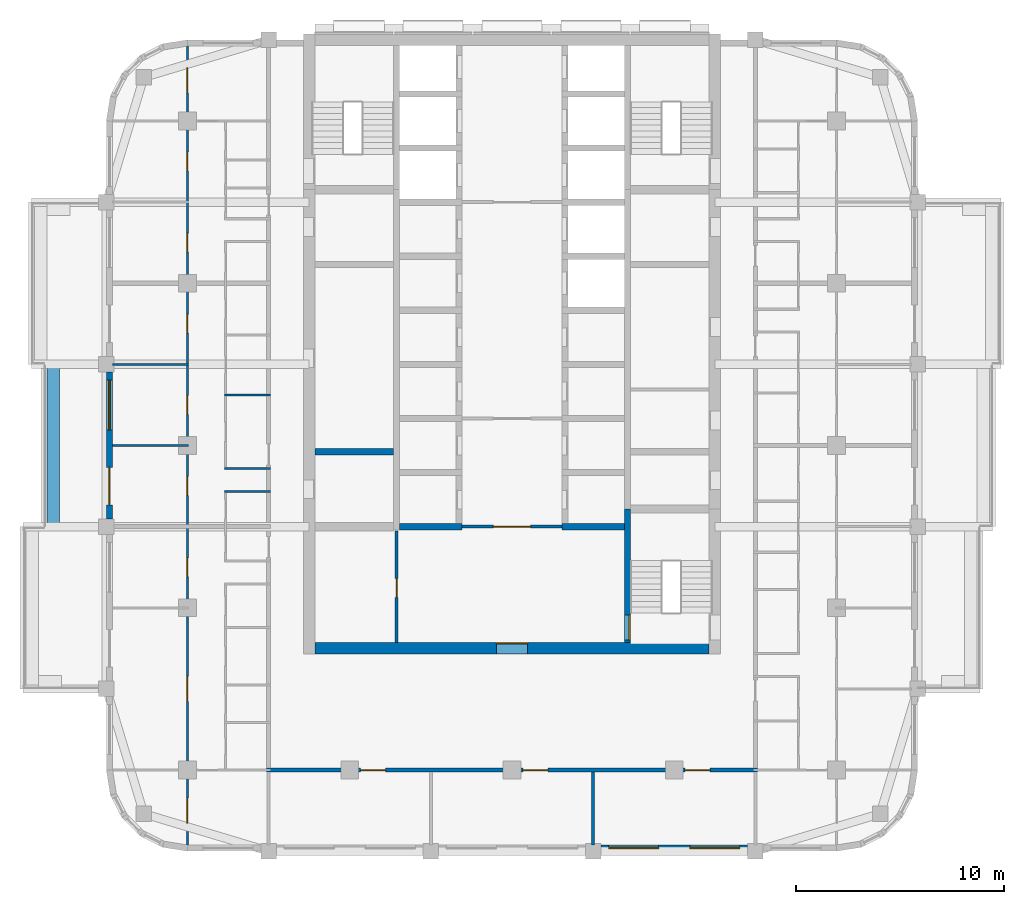
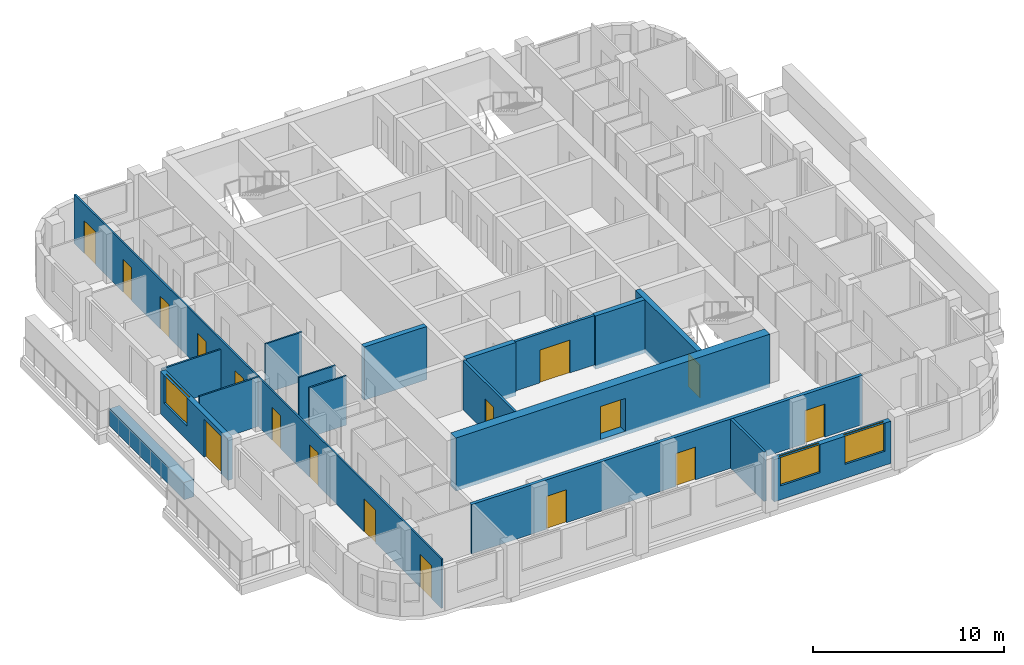
# One storey, part 3 of 13: 18 walls, 17 doors, 3 windows, 20 openings.
"""IFC4 building model written with IfcOpenShell, lengths in metres."""

from ifc_helpers import new_model, si_unit, direction, frame, frame_2d, origin, place, context, subcontext, project, spatial, rectangle, extrude, material, layer, layer_set, type_object, element, fill, save


model = new_model("IFC4")

# Units and contexts
model_context = context("Model", 3, precision=1e-05, world=origin(), true_north=direction((0.0, 1.0)))
body_context = subcontext(model_context, "Body", "Model", "MODEL_VIEW")
ifc_project = project(units=[si_unit("LENGTHUNIT", "METRE"), si_unit("AREAUNIT", "SQUARE_METRE"), si_unit("VOLUMEUNIT", "CUBIC_METRE"), si_unit("PLANEANGLEUNIT", "RADIAN"), si_unit("MASSUNIT", "GRAM", prefix="KILO")], contexts=[model_context])

# Site, building, storey
site_placement = place(None, origin())
site = spatial("IfcSite", under=ifc_project, at=site_placement, CompositionType="ELEMENT")
building_placement = place(site_placement, origin())
building = spatial("IfcBuilding", under=site, at=building_placement, Name="Ludao Terraces", CompositionType="ELEMENT")
storey_placement = place(building_placement, frame((0.0, 0.0, 152.0)))
storey = spatial("IfcBuildingStorey", under=building, at=storey_placement, Name="L41", CompositionType="ELEMENT", Elevation=152.0)

# Wall, opening, door
ifc_material_1 = material(Name="Concrete C60", Category="concrete")
ifc_layer_1 = layer(ifc_material_1, 0.550048828125)
ifc_layer_set_1 = layer_set([ifc_layer_1], Name="Core wall 550 C60")
wall_type_1 = type_object("IfcWallType", Name="Core wall 550 C60", PredefinedType="SOLIDWALL", material=ifc_layer_set_1)
wall_1_placement = place(storey_placement, frame((75.52490234375, 55.25, -0.25), z_axis=(0.0, 0.0, 1.0), x_axis=(1.0, 0.0, 0.0)))
wall_1 = element("IfcWall", 1, at=wall_1_placement, inside=storey, type_object=wall_type_1, Name="Core wall L41 outer-S", PredefinedType="SOLIDWALL", context=body_context, shape_type="SweptSolid", body=[
    extrude(rectangle(XDim=18.9501953125, YDim=0.550048828125, at=frame_2d((9.47509765625, 0.0))), origin(), (0.0, 0.0, 1.0), 3.39990234375),
])
opening_1_placement = place(wall_1_placement, frame((8.72509765625, 0.0, 0.25)))
opening_1 = element("IfcOpeningElement", 2, at=opening_1_placement, cuts=wall_1, Name="Opening R14-016", PredefinedType="OPENING", context=body_context, shape_type="SweptSolid", body=[
    extrude(rectangle(XDim=1.5, YDim=2.10009765625, at=frame_2d((0.75, 1.050048828125))), frame((0.0, 0.28515625, 0.0), z_axis=(0.0, -1.0, 0.0), x_axis=(1.0, 0.0, 0.0)), (0.0, 0.0, 1.0), 0.570068359375),
])
ifc_material_2 = material(Name="Steel Q235", Category="steel")
door_type_1 = type_object("IfcDoorType", Name="INT Lobby door 1500", OperationType="DOUBLE_DOOR_SINGLE_SWING", PredefinedType="DOOR", material=ifc_material_2)
door_1_placement = place(opening_1_placement, origin())
door_1 = element("IfcDoor", 3, at=door_1_placement, inside=storey, type_object=door_type_1, Name="DOOR 016", OperationType="DOUBLE_DOOR_SINGLE_SWING", OverallHeight=2.10009765625, OverallWidth=1.5, PredefinedType="DOOR", context=body_context, shape_type="SweptSolid", body=[
    extrude(rectangle(XDim=1.5, YDim=2.10009765625, at=frame_2d((0.75, 1.050048828125))), frame((0.0, 0.26025390625, 0.0), z_axis=(0.0, -1.0, 0.0), x_axis=(1.0, 0.0, 0.0)), (0.0, 0.0, 1.0), 0.050048828125),
])
fill(opening_1, door_1)

# Wall
ifc_material_3 = material(Name="Concrete C40", Category="concrete")
ifc_layer_2 = layer(ifc_material_3, 0.60009765625)
ifc_layer_set_2 = layer_set([ifc_layer_2], Name="ENV Planter trough 600")
wall_type_2 = type_object("IfcWallType", Name="ENV Planter trough 600", PredefinedType="USERDEFINED", material=ifc_layer_set_2)
wall_2_placement = place(storey_placement, frame((62.949951171875, 61.10009765625, 0.0), z_axis=(0.0, 0.0, 1.0), x_axis=(0.0, 1.0, 0.0)))
element("IfcWall", 4, at=wall_2_placement, inside=storey, type_object=wall_type_2, Name="PL-L41-W2", ObjectType="PLANTER", PredefinedType="USERDEFINED", context=body_context, shape_type="SweptSolid", body=[
    extrude(rectangle(XDim=7.7998046875, YDim=0.60009765625, at=frame_2d((3.89990234375, 0.0))), origin(), (0.0, 0.0, 1.0), 1.10009765625),
])

# Wall, openings, windows
ifc_material_4 = material(Name="Granite cladding", Category="masonry")
ifc_layer_3 = layer(ifc_material_4, 0.0400390625, Category="stone")
ifc_material_5 = material(Name="Mineral wool")
ifc_layer_4 = layer(ifc_material_5, 0.06005859375)
ifc_layer_5 = layer(ifc_material_3, 0.199951171875, Category="concrete")
ifc_layer_set_3 = layer_set([ifc_layer_3, ifc_layer_4, ifc_layer_5], Name="ENV Stone-clad wall 300")
wall_type_3 = type_object("IfcWallType", Name="ENV Stone-clad wall 300", PredefinedType="SOLIDWALL", material=ifc_layer_set_3)
wall_3_placement = place(storey_placement, frame((89.27490234375, 45.64990234375, 0.0), z_axis=(0.0, 0.0, 1.0), x_axis=(1.0, 0.0, 0.0)))
wall_3 = element("IfcWall", 5, at=wall_3_placement, inside=storey, type_object=wall_type_3, Name="EW-L41-S4", PredefinedType="SOLIDWALL", context=body_context, shape_type="SweptSolid", body=[
    extrude(rectangle(XDim=7.050048828125, YDim=0.300048828125, at=frame_2d((3.52490234375, 0.0))), origin(), (0.0, 0.0, 1.0), 2.699951171875),
])
opening_2_placement = place(wall_3_placement, frame((0.375, 0.0, 0.89990234375)))
opening_2 = element("IfcOpeningElement", 6, at=opening_2_placement, cuts=wall_3, Name="Opening W1", PredefinedType="OPENING", context=body_context, shape_type="SweptSolid", body=[
    extrude(rectangle(XDim=2.39990234375, YDim=1.800048828125, at=frame_2d((1.199951171875, 0.89990234375))), frame((0.0, 0.16015625, 0.0), z_axis=(0.0, -1.0, 0.0), x_axis=(1.0, 0.0, 0.0)), (0.0, 0.0, 1.0), 0.320068359375),
])
opening_3_placement = place(wall_3_placement, frame((4.27490234375, 0.0, 0.89990234375)))
opening_3 = element("IfcOpeningElement", 7, at=opening_3_placement, cuts=wall_3, Name="Opening W1", PredefinedType="OPENING", context=body_context, shape_type="SweptSolid", body=[
    extrude(rectangle(XDim=2.39990234375, YDim=1.800048828125, at=frame_2d((1.199951171875, 0.89990234375))), frame((0.0, 0.16015625, 0.0), z_axis=(0.0, -1.0, 0.0), x_axis=(1.0, 0.0, 0.0)), (0.0, 0.0, 1.0), 0.320068359375),
])
ifc_material_6 = material(Name="Clear glass in aluminium frame", Category="aluminium")
ifc_layer_6 = layer(ifc_material_6, 0.06005859375)
ifc_layer_set_4 = layer_set([ifc_layer_6], Name="ENV Window W1 2400x1800")
window_type = type_object("IfcWindowType", Name="ENV Window W1 2400x1800", PartitioningType="DOUBLE_PANEL_VERTICAL", PredefinedType="WINDOW", material=ifc_layer_set_4)
window_1_placement = place(opening_2_placement, origin())
window_1 = element("IfcWindow", 8, at=window_1_placement, inside=storey, type_object=window_type, Name="W-L41-S4-1", OverallHeight=1.800048828125, OverallWidth=2.39990234375, PartitioningType="DOUBLE_PANEL_VERTICAL", PredefinedType="WINDOW", context=body_context, shape_type="SweptSolid", body=[
    extrude(rectangle(XDim=2.39990234375, YDim=1.800048828125, at=frame_2d((1.199951171875, 0.89990234375))), frame((0.0, 0.030029296875, 0.0), z_axis=(0.0, -1.0, 0.0), x_axis=(1.0, 0.0, 0.0)), (0.0, 0.0, 1.0), 0.06005859375),
])
fill(opening_2, window_1)
window_2_placement = place(opening_3_placement, origin())
window_2 = element("IfcWindow", 9, at=window_2_placement, inside=storey, type_object=window_type, Name="W-L41-S4-2", OverallHeight=1.800048828125, OverallWidth=2.39990234375, PartitioningType="DOUBLE_PANEL_VERTICAL", PredefinedType="WINDOW", context=body_context, shape_type="SweptSolid", body=[
    extrude(rectangle(XDim=2.39990234375, YDim=1.800048828125, at=frame_2d((1.199951171875, 0.89990234375))), frame((0.0, 0.030029296875, 0.0), z_axis=(0.0, -1.0, 0.0), x_axis=(1.0, 0.0, 0.0)), (0.0, 0.0, 1.0), 0.06005859375),
])
fill(opening_3, window_2)

# Wall, openings, door, window
wall_4_placement = place(storey_placement, frame((65.64990234375, 61.47509765625, 0.0), z_axis=(0.0, 0.0, 1.0), x_axis=(0.0, 1.0, 0.0)))
wall_4 = element("IfcWall", 10, at=wall_4_placement, inside=storey, type_object=wall_type_3, Name="EW-L41-W3", PredefinedType="SOLIDWALL", context=body_context, shape_type="SweptSolid", body=[
    extrude(rectangle(XDim=7.0498046875, YDim=0.300048828125, at=frame_2d((3.52490234375, 0.0))), origin(), (0.0, 0.0, 1.0), 2.699951171875),
])
opening_4_placement = place(wall_4_placement, frame((0.675048828125, 0.0, 0.0)))
opening_4 = element("IfcOpeningElement", 11, at=opening_4_placement, cuts=wall_4, Name="Opening BD", PredefinedType="OPENING", context=body_context, shape_type="SweptSolid", body=[
    extrude(rectangle(XDim=1.800048828125, YDim=2.39990234375, at=frame_2d((0.89990234375, 1.199951171875))), frame((0.0, 0.16015625, 0.0), z_axis=(0.0, -1.0, 0.0), x_axis=(1.0, 0.0, 0.0)), (0.0, 0.0, 1.0), 0.320068359375),
])
opening_5_placement = place(wall_4_placement, frame((4.27490234375, 0.0, 0.89990234375)))
opening_5 = element("IfcOpeningElement", 12, at=opening_5_placement, cuts=wall_4, Name="Opening W1", PredefinedType="OPENING", context=body_context, shape_type="SweptSolid", body=[
    extrude(rectangle(XDim=2.39990234375, YDim=1.800048828125, at=frame_2d((1.199951171875, 0.89990234375))), frame((0.0, 0.16015625, 0.0), z_axis=(0.0, -1.0, 0.0), x_axis=(1.0, 0.0, 0.0)), (0.0, 0.0, 1.0), 0.320068359375),
])
ifc_material_7 = material(Name="Aluminium glazed door", Category="aluminium")
ifc_layer_7 = layer(ifc_material_7, 0.06005859375)
ifc_layer_set_5 = layer_set([ifc_layer_7], Name="ENV Balcony door BD 1800x2400")
door_type_2 = type_object("IfcDoorType", Name="ENV Balcony door BD 1800x2400", OperationType="DOUBLE_DOOR_SINGLE_SWING", PredefinedType="DOOR", material=ifc_layer_set_5)
door_2_placement = place(opening_4_placement, origin())
door_2 = element("IfcDoor", 13, at=door_2_placement, inside=storey, type_object=door_type_2, Name="BD-L41-W3-1", OperationType="DOUBLE_DOOR_SINGLE_SWING", OverallHeight=2.39990234375, OverallWidth=1.800048828125, PredefinedType="DOOR", context=body_context, shape_type="SweptSolid", body=[
    extrude(rectangle(XDim=1.800048828125, YDim=2.39990234375, at=frame_2d((0.89990234375, 1.199951171875))), frame((0.0, 0.02490234375, 0.0), z_axis=(0.0, -1.0, 0.0), x_axis=(1.0, 0.0, 0.0)), (0.0, 0.0, 1.0), 0.050048828125),
])
fill(opening_4, door_2)
window_3_placement = place(opening_5_placement, origin())
window_3 = element("IfcWindow", 14, at=window_3_placement, inside=storey, type_object=window_type, Name="W-L41-W3-2", OverallHeight=1.800048828125, OverallWidth=2.39990234375, PartitioningType="DOUBLE_PANEL_VERTICAL", PredefinedType="WINDOW", context=body_context, shape_type="SweptSolid", body=[
    extrude(rectangle(XDim=2.39990234375, YDim=1.800048828125, at=frame_2d((1.199951171875, 0.89990234375))), frame((0.0, 0.030029296875, 0.0), z_axis=(0.0, -1.0, 0.0), x_axis=(1.0, 0.0, 0.0)), (0.0, 0.0, 1.0), 0.06005859375),
])
fill(opening_5, window_3)

# Wall, opening, door
ifc_material_8 = material(Name="Fire-rated gypsum plasterboard", Category="gypsum")
ifc_layer_8 = layer(ifc_material_8, 0.012451171875, Category="gypsum")
ifc_layer_9 = layer(ifc_material_5, 0.10009765625, Name="insulation")
ifc_layer_10 = layer(ifc_material_2, 0.02490234375, Name="stud")
ifc_layer_11 = layer(ifc_material_8, 0.012451171875, Category="gypsum")
ifc_layer_set_6 = layer_set([ifc_layer_8, ifc_layer_9, ifc_layer_10, ifc_layer_11], Name="INT Core partition 150")
wall_type_4 = type_object("IfcWallType", Name="INT Core partition 150", PredefinedType="PARTITIONING", material=ifc_layer_set_6)
wall_5_placement = place(storey_placement, frame((82.60009765625, 61.10009765625, 0.0), z_axis=(0.0, 0.0, 1.0), x_axis=(1.0, 0.0, 0.0)))
wall_5 = element("IfcWall", 15, at=wall_5_placement, inside=storey, type_object=wall_type_4, Name="PW-L41-PW017", PredefinedType="PARTITIONING", context=body_context, shape_type="SweptSolid", body=[
    extrude(rectangle(XDim=4.800048828125, YDim=0.14990234375, at=frame_2d((2.39990234375, 0.0))), origin(), (0.0, 0.0, 1.0), 3.14990234375),
])
opening_6_placement = place(wall_5_placement, frame((1.5, 0.0, 0.0)))
opening_6 = element("IfcOpeningElement", 16, at=opening_6_placement, cuts=wall_5, Name="Opening R14-029", PredefinedType="OPENING", context=body_context, shape_type="SweptSolid", body=[
    extrude(rectangle(XDim=1.800048828125, YDim=2.10009765625, at=frame_2d((0.89990234375, 1.050048828125))), frame((0.0, 0.0849609375, 0.0), z_axis=(0.0, -1.0, 0.0), x_axis=(1.0, 0.0, 0.0)), (0.0, 0.0, 1.0), 0.169921875),
])
door_type_3 = type_object("IfcDoorType", Name="INT Fire lobby door 1800", OperationType="DOUBLE_DOOR_SINGLE_SWING", PredefinedType="DOOR", material=ifc_material_2)
door_3_placement = place(opening_6_placement, origin())
door_3 = element("IfcDoor", 17, at=door_3_placement, inside=storey, type_object=door_type_3, Name="DOOR 029", OperationType="DOUBLE_DOOR_SINGLE_SWING", OverallHeight=2.10009765625, OverallWidth=1.800048828125, PredefinedType="DOOR", context=body_context, shape_type="SweptSolid", body=[
    extrude(rectangle(XDim=1.800048828125, YDim=2.10009765625, at=frame_2d((0.89990234375, 1.050048828125))), frame((0.0, 0.02490234375, 0.0), z_axis=(0.0, -1.0, 0.0), x_axis=(1.0, 0.0, 0.0)), (0.0, 0.0, 1.0), 0.050048828125),
])
fill(opening_6, door_3)

wall_6_placement = place(storey_placement, frame((79.449951171875, 55.525146484375, 0.0), z_axis=(0.0, 0.0, 1.0), x_axis=(0.0, 1.0, 0.0)))
wall_6 = element("IfcWall", 18, at=wall_6_placement, inside=storey, type_object=wall_type_4, Name="PW-L41-PW055", PredefinedType="PARTITIONING", context=body_context, shape_type="SweptSolid", body=[
    extrude(rectangle(XDim=5.375, YDim=0.14990234375, at=frame_2d((2.6875, 0.0))), origin(), (0.0, 0.0, 1.0), 3.14990234375),
])
opening_7_placement = place(wall_6_placement, frame((2.175048828125, 0.0, 0.0)))
opening_7 = element("IfcOpeningElement", 19, at=opening_7_placement, cuts=wall_6, Name="Opening R14-022", PredefinedType="OPENING", context=body_context, shape_type="SweptSolid", body=[
    extrude(rectangle(XDim=0.89990234375, YDim=2.10009765625, at=frame_2d((0.449951171875, 1.050048828125))), frame((0.0, 0.0849609375, 0.0), z_axis=(0.0, -1.0, 0.0), x_axis=(1.0, 0.0, 0.0)), (0.0, 0.0, 1.0), 0.169921875),
])
ifc_material_9 = material(Name="Timber door leaf", Category="wood")
door_type_4 = type_object("IfcDoorType", Name="INT Room door 900", OperationType="SINGLE_SWING_LEFT", PredefinedType="DOOR", material=ifc_material_9)
door_4_placement = place(opening_7_placement, origin())
door_4 = element("IfcDoor", 20, at=door_4_placement, inside=storey, type_object=door_type_4, Name="DOOR 022", OperationType="SINGLE_SWING_LEFT", OverallHeight=2.10009765625, OverallWidth=0.89990234375, PredefinedType="DOOR", context=body_context, shape_type="SweptSolid", body=[
    extrude(rectangle(XDim=0.89990234375, YDim=2.10009765625, at=frame_2d((0.449951171875, 1.050048828125))), frame((0.0, 0.02490234375, 0.0), z_axis=(0.0, -1.0, 0.0), x_axis=(1.0, 0.0, 0.0)), (0.0, 0.0, 1.0), 0.050048828125),
])
fill(opening_7, door_4)

# Wall, openings, doors
ifc_material_10 = material(Name="Autoclaved aerated concrete block B06 A3.5", Category="concrete")
ifc_layer_12 = layer(ifc_material_10, 0.199951171875)
ifc_layer_set_7 = layer_set([ifc_layer_12], Name="INT Entrance wall 200")
wall_type_5 = type_object("IfcWallType", Name="INT Entrance wall 200", PredefinedType="PARTITIONING", material=ifc_layer_set_7)
wall_7_placement = place(storey_placement, frame((73.2001953125, 49.39990234375, 0.0), z_axis=(0.0, 0.0, 1.0), x_axis=(1.0, 0.0, 0.0)))
wall_7 = element("IfcWall", 21, at=wall_7_placement, inside=storey, type_object=wall_type_5, Name="PW-L41-PW001", PredefinedType="PARTITIONING", context=body_context, shape_type="SweptSolid", body=[
    extrude(rectangle(XDim=23.599853515625, YDim=0.199951171875, at=frame_2d((11.7998046875, 0.0))), origin(), (0.0, 0.0, 1.0), 3.14990234375),
])
opening_8_placement = place(wall_7_placement, frame((4.52490234375, 0.0, 0.0)))
opening_8 = element("IfcOpeningElement", 22, at=opening_8_placement, cuts=wall_7, Name="Opening R14-004", PredefinedType="OPENING", context=body_context, shape_type="SweptSolid", body=[
    extrude(rectangle(XDim=1.199951171875, YDim=2.10009765625, at=frame_2d((0.60009765625, 1.050048828125))), frame((0.0, 0.10986328125, 0.0), z_axis=(0.0, -1.0, 0.0), x_axis=(1.0, 0.0, 0.0)), (0.0, 0.0, 1.0), 0.219970703125),
])
opening_9_placement = place(wall_7_placement, frame((12.324951171875, 0.0, 0.0)))
opening_9 = element("IfcOpeningElement", 23, at=opening_9_placement, cuts=wall_7, Name="Opening R14-005", PredefinedType="OPENING", context=body_context, shape_type="SweptSolid", body=[
    extrude(rectangle(XDim=1.199951171875, YDim=2.10009765625, at=frame_2d((0.60009765625, 1.050048828125))), frame((0.0, 0.10986328125, 0.0), z_axis=(0.0, -1.0, 0.0), x_axis=(1.0, 0.0, 0.0)), (0.0, 0.0, 1.0), 0.219970703125),
])
opening_10_placement = place(wall_7_placement, frame((20.125, 0.0, 0.0)))
opening_10 = element("IfcOpeningElement", 24, at=opening_10_placement, cuts=wall_7, Name="Opening R14-006", PredefinedType="OPENING", context=body_context, shape_type="SweptSolid", body=[
    extrude(rectangle(XDim=1.199951171875, YDim=2.10009765625, at=frame_2d((0.60009765625, 1.050048828125))), frame((0.0, 0.10986328125, 0.0), z_axis=(0.0, -1.0, 0.0), x_axis=(1.0, 0.0, 0.0)), (0.0, 0.0, 1.0), 0.219970703125),
])
door_type_5 = type_object("IfcDoorType", Name="INT Double door 1200", OperationType="DOUBLE_DOOR_SINGLE_SWING", PredefinedType="DOOR", material=ifc_material_9)
door_5_placement = place(opening_8_placement, origin())
door_5 = element("IfcDoor", 25, at=door_5_placement, inside=storey, type_object=door_type_5, Name="DOOR 004", OperationType="DOUBLE_DOOR_SINGLE_SWING", OverallHeight=2.10009765625, OverallWidth=1.199951171875, PredefinedType="DOOR", context=body_context, shape_type="SweptSolid", body=[
    extrude(rectangle(XDim=1.199951171875, YDim=2.10009765625, at=frame_2d((0.60009765625, 1.050048828125))), frame((0.0, 0.02490234375, 0.0), z_axis=(0.0, -1.0, 0.0), x_axis=(1.0, 0.0, 0.0)), (0.0, 0.0, 1.0), 0.050048828125),
])
fill(opening_8, door_5)
door_6_placement = place(opening_9_placement, origin())
door_6 = element("IfcDoor", 26, at=door_6_placement, inside=storey, type_object=door_type_5, Name="DOOR 005", OperationType="DOUBLE_DOOR_SINGLE_SWING", OverallHeight=2.10009765625, OverallWidth=1.199951171875, PredefinedType="DOOR", context=body_context, shape_type="SweptSolid", body=[
    extrude(rectangle(XDim=1.199951171875, YDim=2.10009765625, at=frame_2d((0.60009765625, 1.050048828125))), frame((0.0, 0.02490234375, 0.0), z_axis=(0.0, -1.0, 0.0), x_axis=(1.0, 0.0, 0.0)), (0.0, 0.0, 1.0), 0.050048828125),
])
fill(opening_9, door_6)
door_7_placement = place(opening_10_placement, origin())
door_7 = element("IfcDoor", 27, at=door_7_placement, inside=storey, type_object=door_type_5, Name="DOOR 006", OperationType="DOUBLE_DOOR_SINGLE_SWING", OverallHeight=2.10009765625, OverallWidth=1.199951171875, PredefinedType="DOOR", context=body_context, shape_type="SweptSolid", body=[
    extrude(rectangle(XDim=1.199951171875, YDim=2.10009765625, at=frame_2d((0.60009765625, 1.050048828125))), frame((0.0, 0.02490234375, 0.0), z_axis=(0.0, -1.0, 0.0), x_axis=(1.0, 0.0, 0.0)), (0.0, 0.0, 1.0), 0.050048828125),
])
fill(opening_10, door_7)

# Walls
ifc_material_11 = material(Name="Gypsum plasterboard", Category="gypsum")
ifc_layer_13 = layer(ifc_material_11, 0.012451171875, Category="gypsum")
ifc_layer_14 = layer(ifc_material_5, 0.06005859375, Name="insulation")
ifc_layer_15 = layer(ifc_material_2, 0.014892578125, Name="stud")
ifc_layer_16 = layer(ifc_material_11, 0.012451171875, Category="gypsum")
ifc_layer_set_8 = layer_set([ifc_layer_13, ifc_layer_14, ifc_layer_15, ifc_layer_16], Name="INT Partition 100")
wall_type_6 = type_object("IfcWallType", Name="INT Partition 100", PredefinedType="PARTITIONING", material=ifc_layer_set_8)
for number, where, z_axis, x_axis, name in (
    (28, (71.18017578125, 62.800048828125, 0.0), (0.0, 0.0, 1.0), (1.0, 0.0, 0.0), "PW-L41-PW020"),
    (29, (71.18017578125, 63.89990234375, 0.0), (0.0, 0.0, 1.0), (1.0, 0.0, 0.0), "PW-L41-PW021"),
):
    element("IfcWall", number, at=place(storey_placement, frame(where, z_axis=z_axis, x_axis=x_axis)), inside=storey, type_object=wall_type_6, Name=name, PredefinedType="PARTITIONING", context=body_context, shape_type="SweptSolid", body=[
        extrude(rectangle(XDim=2.219970703125, YDim=0.10009765625, at=frame_2d((1.10986328125, 0.0))), origin(), (0.0, 0.0, 1.0), 3.14990234375),
    ])
wall_8_placement = place(storey_placement, frame((65.800048828125, 65.0, 0.0), z_axis=(0.0, 0.0, 1.0), x_axis=(1.0, 0.0, 0.0)))
element("IfcWall", 30, at=wall_8_placement, inside=storey, type_object=wall_type_6, Name="PW-L41-PW022", PredefinedType="PARTITIONING", context=body_context, shape_type="SweptSolid", body=[
    extrude(rectangle(XDim=3.650146484375, YDim=0.10009765625, at=frame_2d((1.8251953125, 0.0))), origin(), (0.0, 0.0, 1.0), 3.14990234375),
])
wall_9_placement = place(storey_placement, frame((71.18017578125, 67.419921875, 0.0), z_axis=(0.0, 0.0, 1.0), x_axis=(1.0, 0.0, 0.0)))
element("IfcWall", 31, at=wall_9_placement, inside=storey, type_object=wall_type_6, Name="PW-L41-PW025", PredefinedType="PARTITIONING", context=body_context, shape_type="SweptSolid", body=[
    extrude(rectangle(XDim=2.219970703125, YDim=0.10009765625, at=frame_2d((1.10986328125, 0.0))), origin(), (0.0, 0.0, 1.0), 3.14990234375),
])
wall_10_placement = place(storey_placement, frame((65.800048828125, 68.89990234375, 0.0), z_axis=(0.0, 0.0, 1.0), x_axis=(1.0, 0.0, 0.0)))
element("IfcWall", 32, at=wall_10_placement, inside=storey, type_object=wall_type_6, Name="PW-L41-PW028", PredefinedType="PARTITIONING", context=body_context, shape_type="SweptSolid", body=[
    extrude(rectangle(XDim=3.650146484375, YDim=0.10009765625, at=frame_2d((1.8251953125, 0.0))), origin(), (0.0, 0.0, 1.0), 2.550048828125),
])

# Wall, openings, doors
wall_11_placement = place(storey_placement, frame((69.39990234375, 45.800048828125, 0.0), z_axis=(0.0, 0.0, 1.0), x_axis=(0.0, 1.0, 0.0)))
wall_11 = element("IfcWall", 33, at=wall_11_placement, inside=storey, type_object=wall_type_6, Name="PW-L41-PW048", PredefinedType="PARTITIONING", context=body_context, shape_type="SweptSolid", body=[
    extrude(rectangle(XDim=38.400146484375, YDim=0.10009765625, at=frame_2d((19.2001953125, 0.0))), origin(), (0.0, 0.0, 1.0), 3.14990234375),
])
opening_11_placement = place(wall_11_placement, frame((1.050048828125, 0.0, 0.0)))
opening_11 = element("IfcOpeningElement", 34, at=opening_11_placement, cuts=wall_11, Name="Opening R14-001", PredefinedType="OPENING", context=body_context, shape_type="SweptSolid", body=[
    extrude(rectangle(XDim=1.199951171875, YDim=2.10009765625, at=frame_2d((0.60009765625, 1.050048828125))), frame((0.0, 0.06005859375, 0.0), z_axis=(0.0, -1.0, 0.0), x_axis=(1.0, 0.0, 0.0)), (0.0, 0.0, 1.0), 0.1201171875),
])
opening_12_placement = place(wall_11_placement, frame((6.89990234375, 0.0, 0.0)))
opening_12 = element("IfcOpeningElement", 35, at=opening_12_placement, cuts=wall_11, Name="Opening R14-014", PredefinedType="OPENING", context=body_context, shape_type="SweptSolid", body=[
    extrude(rectangle(XDim=1.199951171875, YDim=2.10009765625, at=frame_2d((0.60009765625, 1.050048828125))), frame((0.0, 0.06005859375, 0.0), z_axis=(0.0, -1.0, 0.0), x_axis=(1.0, 0.0, 0.0)), (0.0, 0.0, 1.0), 0.1201171875),
])
opening_13_placement = place(wall_11_placement, frame((12.89990234375, 0.0, 0.0)))
opening_13 = element("IfcOpeningElement", 36, at=opening_13_placement, cuts=wall_11, Name="Opening R14-024", PredefinedType="OPENING", context=body_context, shape_type="SweptSolid", body=[
    extrude(rectangle(XDim=0.89990234375, YDim=2.10009765625, at=frame_2d((0.449951171875, 1.050048828125))), frame((0.0, 0.06005859375, 0.0), z_axis=(0.0, -1.0, 0.0), x_axis=(1.0, 0.0, 0.0)), (0.0, 0.0, 1.0), 0.1201171875),
])
opening_14_placement = place(wall_11_placement, frame((16.800048828125, 0.0, 0.0)))
opening_14 = element("IfcOpeningElement", 37, at=opening_14_placement, cuts=wall_11, Name="Opening R14-034", PredefinedType="OPENING", context=body_context, shape_type="SweptSolid", body=[
    extrude(rectangle(XDim=0.89990234375, YDim=2.10009765625, at=frame_2d((0.449951171875, 1.050048828125))), frame((0.0, 0.06005859375, 0.0), z_axis=(0.0, -1.0, 0.0), x_axis=(1.0, 0.0, 0.0)), (0.0, 0.0, 1.0), 0.1201171875),
])
opening_15_placement = place(wall_11_placement, frame((20.699951171875, 0.0, 0.0)))
opening_15 = element("IfcOpeningElement", 38, at=opening_15_placement, cuts=wall_11, Name="Opening R14-045", PredefinedType="OPENING", context=body_context, shape_type="SweptSolid", body=[
    extrude(rectangle(XDim=0.89990234375, YDim=2.10009765625, at=frame_2d((0.449951171875, 1.050048828125))), frame((0.0, 0.06005859375, 0.0), z_axis=(0.0, -1.0, 0.0), x_axis=(1.0, 0.0, 0.0)), (0.0, 0.0, 1.0), 0.1201171875),
])
opening_16_placement = place(wall_11_placement, frame((24.60009765625, 0.0, 0.0)))
opening_16 = element("IfcOpeningElement", 39, at=opening_16_placement, cuts=wall_11, Name="Opening R14-056", PredefinedType="OPENING", context=body_context, shape_type="SweptSolid", body=[
    extrude(rectangle(XDim=0.89990234375, YDim=2.10009765625, at=frame_2d((0.449951171875, 1.050048828125))), frame((0.0, 0.06005859375, 0.0), z_axis=(0.0, -1.0, 0.0), x_axis=(1.0, 0.0, 0.0)), (0.0, 0.0, 1.0), 0.1201171875),
])
opening_17_placement = place(wall_11_placement, frame((28.5, 0.0, 0.0)))
opening_17 = element("IfcOpeningElement", 40, at=opening_17_placement, cuts=wall_11, Name="Opening R14-065", PredefinedType="OPENING", context=body_context, shape_type="SweptSolid", body=[
    extrude(rectangle(XDim=0.89990234375, YDim=2.10009765625, at=frame_2d((0.449951171875, 1.050048828125))), frame((0.0, 0.06005859375, 0.0), z_axis=(0.0, -1.0, 0.0), x_axis=(1.0, 0.0, 0.0)), (0.0, 0.0, 1.0), 0.1201171875),
])
opening_18_placement = place(wall_11_placement, frame((32.39990234375, 0.0, 0.0)))
opening_18 = element("IfcOpeningElement", 41, at=opening_18_placement, cuts=wall_11, Name="Opening R14-081", PredefinedType="OPENING", context=body_context, shape_type="SweptSolid", body=[
    extrude(rectangle(XDim=0.89990234375, YDim=2.10009765625, at=frame_2d((0.449951171875, 1.050048828125))), frame((0.0, 0.06005859375, 0.0), z_axis=(0.0, -1.0, 0.0), x_axis=(1.0, 0.0, 0.0)), (0.0, 0.0, 1.0), 0.1201171875),
])
opening_19_placement = place(wall_11_placement, frame((36.14990234375, 0.0, 0.0)))
opening_19 = element("IfcOpeningElement", 42, at=opening_19_placement, cuts=wall_11, Name="Opening R14-089", PredefinedType="OPENING", context=body_context, shape_type="SweptSolid", body=[
    extrude(rectangle(XDim=1.199951171875, YDim=2.10009765625, at=frame_2d((0.60009765625, 1.050048828125))), frame((0.0, 0.06005859375, 0.0), z_axis=(0.0, -1.0, 0.0), x_axis=(1.0, 0.0, 0.0)), (0.0, 0.0, 1.0), 0.1201171875),
])
door_8_placement = place(opening_11_placement, origin())
door_8 = element("IfcDoor", 43, at=door_8_placement, inside=storey, type_object=door_type_5, Name="DOOR 001", OperationType="DOUBLE_DOOR_SINGLE_SWING", OverallHeight=2.10009765625, OverallWidth=1.199951171875, PredefinedType="DOOR", context=body_context, shape_type="SweptSolid", body=[
    extrude(rectangle(XDim=1.199951171875, YDim=2.10009765625, at=frame_2d((0.60009765625, 1.050048828125))), frame((0.0, 0.02490234375, 0.0), z_axis=(0.0, -1.0, 0.0), x_axis=(1.0, 0.0, 0.0)), (0.0, 0.0, 1.0), 0.050048828125),
])
fill(opening_11, door_8)
door_9_placement = place(opening_12_placement, origin())
door_9 = element("IfcDoor", 44, at=door_9_placement, inside=storey, type_object=door_type_5, Name="DOOR 014", OperationType="DOUBLE_DOOR_SINGLE_SWING", OverallHeight=2.10009765625, OverallWidth=1.199951171875, PredefinedType="DOOR", context=body_context, shape_type="SweptSolid", body=[
    extrude(rectangle(XDim=1.199951171875, YDim=2.10009765625, at=frame_2d((0.60009765625, 1.050048828125))), frame((0.0, 0.02490234375, 0.0), z_axis=(0.0, -1.0, 0.0), x_axis=(1.0, 0.0, 0.0)), (0.0, 0.0, 1.0), 0.050048828125),
])
fill(opening_12, door_9)
door_10_placement = place(opening_19_placement, origin())
door_10 = element("IfcDoor", 45, at=door_10_placement, inside=storey, type_object=door_type_5, Name="DOOR 089", OperationType="DOUBLE_DOOR_SINGLE_SWING", OverallHeight=2.10009765625, OverallWidth=1.199951171875, PredefinedType="DOOR", context=body_context, shape_type="SweptSolid", body=[
    extrude(rectangle(XDim=1.199951171875, YDim=2.10009765625, at=frame_2d((0.60009765625, 1.050048828125))), frame((0.0, 0.02490234375, 0.0), z_axis=(0.0, -1.0, 0.0), x_axis=(1.0, 0.0, 0.0)), (0.0, 0.0, 1.0), 0.050048828125),
])
fill(opening_19, door_10)
door_11_placement = place(opening_13_placement, origin())
door_11 = element("IfcDoor", 46, at=door_11_placement, inside=storey, type_object=door_type_4, Name="DOOR 024", OperationType="SINGLE_SWING_RIGHT", OverallHeight=2.10009765625, OverallWidth=0.89990234375, PredefinedType="DOOR", context=body_context, shape_type="SweptSolid", body=[
    extrude(rectangle(XDim=0.89990234375, YDim=2.10009765625, at=frame_2d((0.449951171875, 1.050048828125))), frame((0.0, 0.02490234375, 0.0), z_axis=(0.0, -1.0, 0.0), x_axis=(1.0, 0.0, 0.0)), (0.0, 0.0, 1.0), 0.050048828125),
])
fill(opening_13, door_11)
door_12_placement = place(opening_14_placement, origin())
door_12 = element("IfcDoor", 47, at=door_12_placement, inside=storey, type_object=door_type_4, Name="DOOR 034", OperationType="SINGLE_SWING_LEFT", OverallHeight=2.10009765625, OverallWidth=0.89990234375, PredefinedType="DOOR", context=body_context, shape_type="SweptSolid", body=[
    extrude(rectangle(XDim=0.89990234375, YDim=2.10009765625, at=frame_2d((0.449951171875, 1.050048828125))), frame((0.0, 0.02490234375, 0.0), z_axis=(0.0, -1.0, 0.0), x_axis=(1.0, 0.0, 0.0)), (0.0, 0.0, 1.0), 0.050048828125),
])
fill(opening_14, door_12)
door_13_placement = place(opening_15_placement, origin())
door_13 = element("IfcDoor", 48, at=door_13_placement, inside=storey, type_object=door_type_4, Name="DOOR 045", OperationType="SINGLE_SWING_RIGHT", OverallHeight=2.10009765625, OverallWidth=0.89990234375, PredefinedType="DOOR", context=body_context, shape_type="SweptSolid", body=[
    extrude(rectangle(XDim=0.89990234375, YDim=2.10009765625, at=frame_2d((0.449951171875, 1.050048828125))), frame((0.0, 0.02490234375, 0.0), z_axis=(0.0, -1.0, 0.0), x_axis=(1.0, 0.0, 0.0)), (0.0, 0.0, 1.0), 0.050048828125),
])
fill(opening_15, door_13)
door_14_placement = place(opening_16_placement, origin())
door_14 = element("IfcDoor", 49, at=door_14_placement, inside=storey, type_object=door_type_4, Name="DOOR 056", OperationType="SINGLE_SWING_LEFT", OverallHeight=2.10009765625, OverallWidth=0.89990234375, PredefinedType="DOOR", context=body_context, shape_type="SweptSolid", body=[
    extrude(rectangle(XDim=0.89990234375, YDim=2.10009765625, at=frame_2d((0.449951171875, 1.050048828125))), frame((0.0, 0.02490234375, 0.0), z_axis=(0.0, -1.0, 0.0), x_axis=(1.0, 0.0, 0.0)), (0.0, 0.0, 1.0), 0.050048828125),
])
fill(opening_16, door_14)
door_15_placement = place(opening_17_placement, origin())
door_15 = element("IfcDoor", 50, at=door_15_placement, inside=storey, type_object=door_type_4, Name="DOOR 065", OperationType="SINGLE_SWING_RIGHT", OverallHeight=2.10009765625, OverallWidth=0.89990234375, PredefinedType="DOOR", context=body_context, shape_type="SweptSolid", body=[
    extrude(rectangle(XDim=0.89990234375, YDim=2.10009765625, at=frame_2d((0.449951171875, 1.050048828125))), frame((0.0, 0.02490234375, 0.0), z_axis=(0.0, -1.0, 0.0), x_axis=(1.0, 0.0, 0.0)), (0.0, 0.0, 1.0), 0.050048828125),
])
fill(opening_17, door_15)
door_16_placement = place(opening_18_placement, origin())
door_16 = element("IfcDoor", 51, at=door_16_placement, inside=storey, type_object=door_type_4, Name="DOOR 081", OperationType="SINGLE_SWING_RIGHT", OverallHeight=2.10009765625, OverallWidth=0.89990234375, PredefinedType="DOOR", context=body_context, shape_type="SweptSolid", body=[
    extrude(rectangle(XDim=0.89990234375, YDim=2.10009765625, at=frame_2d((0.449951171875, 1.050048828125))), frame((0.0, 0.02490234375, 0.0), z_axis=(0.0, -1.0, 0.0), x_axis=(1.0, 0.0, 0.0)), (0.0, 0.0, 1.0), 0.050048828125),
])
fill(opening_18, door_16)

# Wall
ifc_layer_17 = layer(ifc_material_10, 0.14990234375)
ifc_layer_set_9 = layer_set([ifc_layer_17], Name="INT Party wall 150")
wall_type_7 = type_object("IfcWallType", Name="INT Party wall 150", PredefinedType="PARTITIONING", material=ifc_layer_set_9)
wall_12_placement = place(storey_placement, frame((88.89990234375, 45.800048828125, 0.0), z_axis=(0.0, 0.0, 1.0), x_axis=(0.0, 1.0, 0.0)))
element("IfcWall", 52, at=wall_12_placement, inside=storey, type_object=wall_type_7, Name="PW-L41-PW057", PredefinedType="PARTITIONING", context=body_context, shape_type="SweptSolid", body=[
    extrude(rectangle(XDim=3.5, YDim=0.14990234375, at=frame_2d((1.75, 0.0))), origin(), (0.0, 0.0, 1.0), 3.14990234375),
])

# Wall, opening, door
ifc_material_12 = material(Name="Concrete C55", Category="concrete")
ifc_layer_18 = layer(ifc_material_12, 0.300048828125)
ifc_layer_set_10 = layer_set([ifc_layer_18], Name="Shaft wall 300 C55")
wall_type_8 = type_object("IfcWallType", Name="Shaft wall 300 C55", PredefinedType="SOLIDWALL", material=ifc_layer_set_10)
wall_13_placement = place(storey_placement, frame((90.550048828125, 55.52490234375, -0.25), z_axis=(0.0, 0.0, 1.0), x_axis=(0.0, 1.0, 0.0)))
wall_13 = element("IfcWall", 53, at=wall_13_placement, inside=storey, type_object=wall_type_8, Name="Core wall L41 back-E-S3", PredefinedType="SOLIDWALL", context=body_context, shape_type="SweptSolid", body=[
    extrude(rectangle(XDim=6.425048828125, YDim=0.300048828125, at=frame_2d((3.21240234375, 0.0))), origin(), (0.0, 0.0, 1.0), 3.39990234375),
])
opening_20_placement = place(wall_13_placement, frame((0.125, 0.0, 0.25)))
opening_20 = element("IfcOpeningElement", 54, at=opening_20_placement, cuts=wall_13, Name="Opening R14-018", PredefinedType="OPENING", context=body_context, shape_type="SweptSolid", body=[
    extrude(rectangle(XDim=1.199951171875, YDim=2.10009765625, at=frame_2d((0.60009765625, 1.050048828125))), frame((0.0, 0.16015625, 0.0), z_axis=(0.0, -1.0, 0.0), x_axis=(1.0, 0.0, 0.0)), (0.0, 0.0, 1.0), 0.320068359375),
])
door_type_6 = type_object("IfcDoorType", Name="INT Stair door 1200", OperationType="DOUBLE_DOOR_SINGLE_SWING", PredefinedType="DOOR", material=ifc_material_2)
door_17_placement = place(opening_20_placement, origin())
door_17 = element("IfcDoor", 55, at=door_17_placement, inside=storey, type_object=door_type_6, Name="DOOR 018", OperationType="DOUBLE_DOOR_SINGLE_SWING", OverallHeight=2.10009765625, OverallWidth=1.199951171875, PredefinedType="DOOR", context=body_context, shape_type="SweptSolid", body=[
    extrude(rectangle(XDim=1.199951171875, YDim=2.10009765625, at=frame_2d((0.60009765625, 1.050048828125))), frame((0.0, -0.0849609375, 0.0), z_axis=(0.0, -1.0, 0.0), x_axis=(1.0, 0.0, 0.0)), (0.0, 0.0, 1.0), 0.050048828125),
])
fill(opening_20, door_17)

# Walls
for number, where, z_axis, x_axis, name in (
    (56, (79.60009765625, 61.10009765625, -0.25), (0.0, 0.0, 1.0), (1.0, 0.0, 0.0), "Core wall L41 div-W1"),
    (57, (87.39990234375, 61.10009765625, -0.25), (0.0, 0.0, 1.0), (1.0, 0.0, 0.0), "Core wall L41 div-E1"),
):
    element("IfcWall", number, at=place(storey_placement, frame(where, z_axis=z_axis, x_axis=x_axis)), inside=storey, type_object=wall_type_8, Name=name, PredefinedType="SOLIDWALL", context=body_context, shape_type="SweptSolid", body=[
        extrude(rectangle(XDim=3.0, YDim=0.300048828125, at=frame_2d((1.5, 0.0))), origin(), (0.0, 0.0, 1.0), 3.39990234375),
    ])
wall_14_placement = place(storey_placement, frame((75.52490234375, 64.699951171875, -0.25), z_axis=(0.0, 0.0, 1.0), x_axis=(1.0, 0.0, 0.0)))
element("IfcWall", 58, at=wall_14_placement, inside=storey, type_object=wall_type_8, Name="Core wall L41 riser-a-W", PredefinedType="SOLIDWALL", context=body_context, shape_type="SweptSolid", body=[
    extrude(rectangle(XDim=3.775146484375, YDim=0.300048828125, at=frame_2d((1.8876953125, 0.0))), origin(), (0.0, 0.0, 1.0), 3.39990234375),
])

save(model, "model.ifc")
